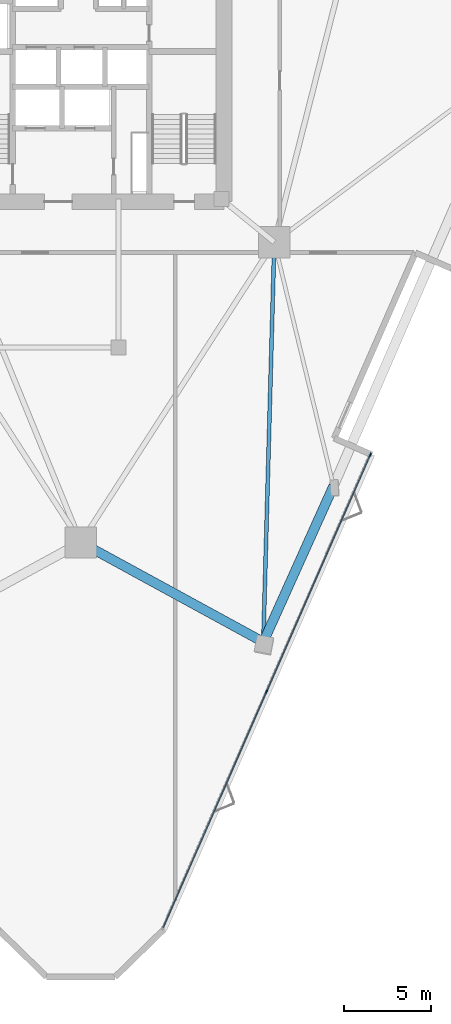
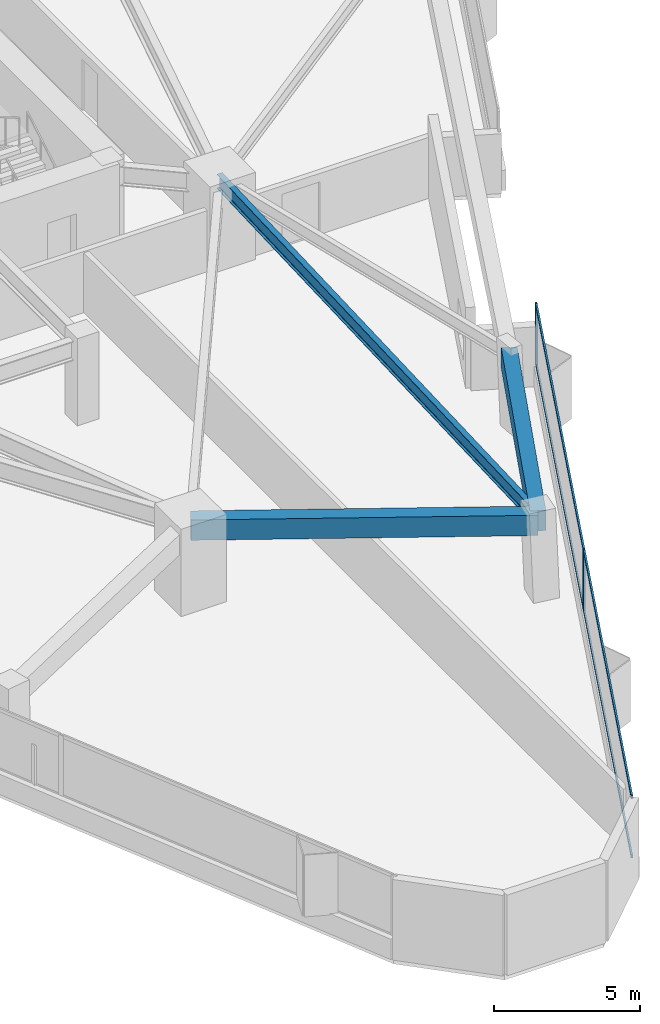
# One storey, part 3 of 14: 6 members, 3 beams, 1 element without a shape of its own.
"""IFC4 building model written with IfcOpenShell, lengths in metres."""

import ifcopenshell
import ifcopenshell.guid

model = None  # the IFC model being written
_history = None  # IfcOwnerHistory: only IFC2X3 demands one
_inside = {}  # id of a spatial element -> (the spatial element, [elements in it])
_under = {}  # id of a project, library or spatial element -> (it, [spatial elements below it])
_declared = {}  # id of a project -> (the project, [libraries it declares])
_typed = {}  # id of a type object -> (the type object, [elements of that type])
_made_of = {}  # id of a material, layer set ... -> (it, [elements and type objects made of it])


def new_model(schema):
    """Start an empty IFC model of exactly this schema.

    Asked for "IFC4X3", IfcOpenShell would pick the latest addendum, in which some entities
    have other attributes; the version numbers below select the first issue.
    IFC2X3 requires an IfcOwnerHistory on every rooted entity: one is made here for all.
    """
    global model, _history
    if schema == "IFC4X3":
        model = ifcopenshell.file(schema_version=(4, 3, 0, 0))
    else:
        model = ifcopenshell.file(schema=schema)
    _inside.clear()
    _under.clear()
    _declared.clear()
    _typed.clear()
    _made_of.clear()
    _history = None
    if model.schema == "IFC2X3":
        org = make("IfcOrganization", Name="unknown")
        user = make(
            "IfcPersonAndOrganization",
            ThePerson=make("IfcPerson", FamilyName="unknown"),
            TheOrganization=org,
        )
        app = make(
            "IfcApplication",
            ApplicationDeveloper=org,
            Version="unknown",
            ApplicationFullName="unknown",
            ApplicationIdentifier="unknown",
        )
        _history = make(
            "IfcOwnerHistory",
            OwningUser=user,
            OwningApplication=app,
            ChangeAction="ADDED",
            CreationDate=0,
        )
    return model


def make(cls, **values):
    """One entity of the class cls with the attributes given. An attribute that is None is left unset."""
    return model.create_entity(
        cls, **{name: value for name, value in values.items() if value is not None}
    )


def rooted(cls, **values):
    """An entity with a GlobalId (a new one), such as an element, a storey or a relation."""
    return make(cls, GlobalId=ifcopenshell.guid.new(), OwnerHistory=_history, **values)


def si_unit(unit_type, name, prefix=None):
    """IfcSIUnit, for example si_unit("LENGTHUNIT", "METRE", prefix="MILLI")."""
    return make("IfcSIUnit", UnitType=unit_type, Prefix=prefix, Name=name)


def assignment(units):
    """IfcUnitAssignment: the units of a project."""
    return None if units is None else make("IfcUnitAssignment", Units=units)


def point(xyz):
    """IfcCartesianPoint."""
    return None if xyz is None else make("IfcCartesianPoint", Coordinates=xyz)


def direction(xyz):
    """IfcDirection."""
    return None if xyz is None else make("IfcDirection", DirectionRatios=xyz)


def frame(location, z_axis=None, x_axis=None):
    """IfcAxis2Placement3D, a coordinate frame: its origin and axes. An axis left out is left unset."""
    return make(
        "IfcAxis2Placement3D",
        Location=point(location),
        Axis=direction(z_axis),
        RefDirection=direction(x_axis),
    )


def frame_2d(location, x_axis=None):
    """IfcAxis2Placement2D, a coordinate frame in the plane: its origin and x axis."""
    return make(
        "IfcAxis2Placement2D", Location=point(location), RefDirection=direction(x_axis)
    )


def origin():
    """The frame at (0, 0, 0) with its axes left unset."""
    return frame((0.0, 0.0, 0.0))


def origin_2d():
    """The frame at (0, 0) in the plane with its x axis left unset."""
    return frame_2d((0.0, 0.0))


def place(relative_to, where):
    """IfcLocalPlacement: puts the frame where relative to a parent placement (None: the world)."""
    return make(
        "IfcLocalPlacement", PlacementRelTo=relative_to, RelativePlacement=where
    )


def context(
    kind, dimensions, precision=None, world=None, true_north=None, identifier=None
):
    """IfcGeometricRepresentationContext, for example the 3D "Model" context."""
    return make(
        "IfcGeometricRepresentationContext",
        ContextIdentifier=identifier,
        ContextType=kind,
        CoordinateSpaceDimension=dimensions,
        Precision=precision,
        WorldCoordinateSystem=world,
        TrueNorth=true_north,
    )


def subcontext(parent, identifier, kind, view, scale=None):
    """IfcGeometricRepresentationSubContext, for example "Body" below "Model"."""
    return make(
        "IfcGeometricRepresentationSubContext",
        ContextIdentifier=identifier,
        ContextType=kind,
        ParentContext=parent,
        TargetScale=scale,
        TargetView=view,
    )


def project(units=None, contexts=None):
    """IfcProject with its units and contexts."""
    return rooted(
        "IfcProject",
        Name="project",
        RepresentationContexts=contexts,
        UnitsInContext=assignment(units),
    )


def spatial(cls, under=None, at=None, **own):
    """A site, building, storey or space (cls), placed at a placement, below another one or the project."""
    s = rooted(cls, ObjectPlacement=at, **own)
    if under is not None:
        _under.setdefault(under.id(), (under, []))[1].append(s)
    return s


def profile(cls, at=None, kind="AREA", **sizes):
    """A parametric profile (cls). Its sizes go by their IFC names, for example OverallWidth=200.0."""
    return make(cls, ProfileType=kind, Position=at, **sizes)


def rectangle(**sizes):
    """IfcRectangleProfileDef."""
    return profile("IfcRectangleProfileDef", **sizes)


def i_section(**sizes):
    """IfcIShapeProfileDef."""
    return profile("IfcIShapeProfileDef", **sizes)


def extrude(swept, where, along, depth):
    """IfcExtrudedAreaSolid: the profile swept, set in the frame where, extruded along a direction by depth."""
    return make(
        "IfcExtrudedAreaSolid",
        SweptArea=swept,
        Position=where,
        ExtrudedDirection=direction(along),
        Depth=depth,
    )


def shape(context_of_items, identifier, shape_type, items):
    """IfcShapeRepresentation: the items that make up one representation, for example the "Body"."""
    return make(
        "IfcShapeRepresentation",
        ContextOfItems=context_of_items,
        RepresentationIdentifier=identifier,
        RepresentationType=shape_type,
        Items=items,
    )


def material(Name=None, Category=None):
    """IfcMaterial."""
    return make("IfcMaterial", Name=Name, Category=Category)


def layer(
    of_material, thickness, ventilated=None, Name=None, Category=None, Priority=None
):
    """IfcMaterialLayer: one layer of a wall or slab, of a material (None: an air gap)."""
    return make(
        "IfcMaterialLayer",
        Material=of_material,
        LayerThickness=thickness,
        IsVentilated=ventilated,
        Name=Name,
        Category=Category,
        Priority=Priority,
    )


def layer_set(layers, Name=None):
    """IfcMaterialLayerSet."""
    return make("IfcMaterialLayerSet", MaterialLayers=layers, LayerSetName=Name)


def material_profile(
    of_material, cross_section, Name=None, Category=None, Priority=None
):
    """IfcMaterialProfile: a cross section and its material."""
    return make(
        "IfcMaterialProfile",
        Name=Name,
        Material=of_material,
        Profile=cross_section,
        Priority=Priority,
        Category=Category,
    )


def profile_set(profiles, Name=None, composite=None):
    """IfcMaterialProfileSet."""
    return make(
        "IfcMaterialProfileSet",
        Name=Name,
        MaterialProfiles=profiles,
        CompositeProfile=composite,
    )


def made_of(thing, what):
    """Note that an element or type object is made of a material, layer set ...; save() writes the relation."""
    if what is not None:
        _made_of.setdefault(what.id(), (what, []))[1].append(thing)
    return thing


def type_object(cls, material=None, **own):
    """A type object (cls), such as IfcWallType, which elements share."""
    return made_of(rooted(cls, **own), material)


def element(
    cls,
    number,
    at=None,
    inside=None,
    cuts=None,
    type_object=None,
    material=None,
    context=None,
    identifier="Body",
    shape_type=None,
    held_by="IfcProductDefinitionShape",
    body=None,
    shapes=None,
    **own,
):
    """One element of the class cls, such as IfcWall. Its Tag is "e" and its number.

    at: its placement. inside: the storey or other place that contains it. cuts: it is an
    opening in that element (IfcRelVoidsElement). A single representation is given by context,
    identifier, shape_type and body (its items); several are given by shapes. held_by: the class
    of the entity that holds the representations. save() writes the other relations.
    """
    e = rooted(cls, Tag="e%d" % number, ObjectPlacement=at, **own)
    if body is not None:
        shapes = [shape(context, identifier, shape_type, body)]
    if shapes is not None:
        e.Representation = make(held_by, Representations=shapes)
    if inside is not None:
        _inside.setdefault(inside.id(), (inside, []))[1].append(e)
    if cuts is not None:
        rooted(
            "IfcRelVoidsElement", RelatingBuildingElement=cuts, RelatedOpeningElement=e
        )
    if type_object is not None:
        _typed.setdefault(type_object.id(), (type_object, []))[1].append(e)
    return made_of(e, material)


def aggregate(whole, parts):
    """IfcRelAggregates: a whole, such as a stair, and the parts it consists of."""
    return rooted("IfcRelAggregates", RelatingObject=whole, RelatedObjects=parts)


def save(model, path):
    """Write the relations noted so far, then the file.

    IfcRelAggregates (storeys below a building ...), IfcRelContainedInSpatialStructure (elements
    in a storey), IfcRelDefinesByType, IfcRelAssociatesMaterial and IfcRelDeclares: one each for
    every whole, place, type object, material and project.
    """
    for whole, parts in _under.values():
        aggregate(whole, parts)
    for where, things in _inside.values():
        rooted(
            "IfcRelContainedInSpatialStructure",
            RelatedElements=things,
            RelatingStructure=where,
        )
    for kind, things in _typed.values():
        rooted("IfcRelDefinesByType", RelatedObjects=things, RelatingType=kind)
    for what, things in _made_of.values():
        rooted("IfcRelAssociatesMaterial", RelatedObjects=things, RelatingMaterial=what)
    for by, libraries in _declared.values():
        rooted("IfcRelDeclares", RelatingContext=by, RelatedDefinitions=libraries)
    model.write(path)


model = new_model("IFC4")

# Units and contexts
model_context = context("Model", 3, precision=1e-05, world=origin(), true_north=direction((0.0, 1.0)))
body_context = subcontext(model_context, "Body", "Model", "MODEL_VIEW")
ifc_project = project(units=[si_unit("LENGTHUNIT", "METRE"), si_unit("AREAUNIT", "SQUARE_METRE"), si_unit("VOLUMEUNIT", "CUBIC_METRE"), si_unit("PLANEANGLEUNIT", "RADIAN"), si_unit("MASSUNIT", "GRAM", prefix="KILO")], contexts=[model_context])

# Site, building, storey
site_placement = place(None, origin())
site = spatial("IfcSite", under=ifc_project, at=site_placement, CompositionType="ELEMENT")
building_placement = place(site_placement, origin())
building = spatial("IfcBuilding", under=site, at=building_placement, Name="Talyreon Biosciences Tower", CompositionType="ELEMENT")
storey_placement = place(building_placement, frame((0.0, 0.0, 52.0)))
storey = spatial("IfcBuildingStorey", under=building, at=storey_placement, Name="L13", CompositionType="ELEMENT", Elevation=52.0)

# Curtain wall, members
ifc_material_1 = material(Name="Thermally broken aluminium and low-E glazing", Category="aluminium")
ifc_layer = layer(ifc_material_1, 0.205078125)
ifc_layer_set = layer_set([ifc_layer], Name="Thermally broken aluminium and low-E glazing")
curtain_wall_type = type_object("IfcCurtainWallType", Name="CurtainWall_SkyGardenLoggia", PredefinedType="NOTDEFINED", material=ifc_layer_set)
curtain_wall_placement = place(storey_placement, origin())
curtain_wall = element("IfcCurtainWall", 1, at=curtain_wall_placement, inside=storey, type_object=curtain_wall_type, Name="L13 Unitised Curtain Wall FCW-L13-11", PredefinedType="NOTDEFINED")
ifc_material_2 = material(Name="Anodised thermally broken aluminium", Category="aluminium")
ifc_material_profile_1 = material_profile(ifc_material_2, rectangle(XDim=0.074951171875, YDim=0.2099609375, at=origin_2d()), Name="ALUM MULLION 75x210")
ifc_profile_set_1 = profile_set([ifc_material_profile_1], Name="Anodised thermally broken aluminium")
member_type_1 = type_object("IfcMemberType", Name="CWMullion_75x210", PredefinedType="MULLION", material=ifc_profile_set_1)
member_1_placement = place(storey_placement, frame((82.589111328125, 46.697265625, 0.81005859375), z_axis=(0.0, 0.0, 1.0), x_axis=(0.916035598289, -0.401096974143, 0.0)))
member_1 = element("IfcMember", 2, at=member_1_placement, type_object=member_type_1, Name="CW7 mullion 1", PredefinedType="MULLION", context=body_context, shape_type="SweptSolid", body=[
    extrude(rectangle(XDim=0.074951171875, YDim=0.2099609375, at=origin_2d()), origin(), (0.0, 0.0, 1.0), 2.56494140625),
])
member_2_placement = place(storey_placement, frame((76.647216796875, 33.126953125, 0.81005859375), z_axis=(0.0, 0.0, 1.0), x_axis=(0.916035598289, -0.401096974143, 0.0)))
member_2 = element("IfcMember", 3, at=member_2_placement, type_object=member_type_1, Name="CW7 mullion 2", PredefinedType="MULLION", context=body_context, shape_type="SweptSolid", body=[
    extrude(rectangle(XDim=0.074951171875, YDim=0.2099609375, at=origin_2d()), origin(), (0.0, 0.0, 1.0), 2.56494140625),
])
ifc_material_profile_2 = material_profile(ifc_material_2, rectangle(XDim=0.06494140625, YDim=0.139892578125, at=origin_2d()), Name="ALUM TRANSOM 65x140")
ifc_profile_set_2 = profile_set([ifc_material_profile_2], Name="Anodised thermally broken aluminium")
member_type_2 = type_object("IfcMemberType", Name="CWTransom_65x140", PredefinedType="USERDEFINED", material=ifc_profile_set_2)
member_3_placement = place(storey_placement, frame((82.573974609375, 46.6630859375, 0.842529296875), z_axis=(-0.401096003842, -0.916036023146, 0.0), x_axis=(0.916036023146, -0.401096003842, 0.0)))
member_3 = element("IfcMember", 4, at=member_3_placement, type_object=member_type_2, Name="CW7 transom 1.1", ObjectType="TRANSOM", PredefinedType="USERDEFINED", context=body_context, shape_type="SweptSolid", body=[
    extrude(rectangle(XDim=0.06494140625, YDim=0.139892578125, at=origin_2d()), origin(), (0.0, 0.0, 1.0), 14.7392578125),
])
member_4_placement = place(storey_placement, frame((82.573974609375, 46.6630859375, 3.342529296875), z_axis=(-0.401096003842, -0.916036023146, 0.0), x_axis=(0.916036023146, -0.401096003842, 0.0)))
member_4 = element("IfcMember", 5, at=member_4_placement, type_object=member_type_2, Name="CW7 transom 1.2", ObjectType="TRANSOM", PredefinedType="USERDEFINED", context=body_context, shape_type="SweptSolid", body=[
    extrude(rectangle(XDim=0.06494140625, YDim=0.139892578125, at=origin_2d()), origin(), (0.0, 0.0, 1.0), 14.7392578125),
])
member_5_placement = place(storey_placement, frame((76.632080078125, 33.092529296875, 0.842529296875), z_axis=(-0.401096003842, -0.916036023146, 0.0), x_axis=(0.916036023146, -0.401096003842, 0.0)))
member_5 = element("IfcMember", 6, at=member_5_placement, type_object=member_type_2, Name="CW7 transom 2.1", ObjectType="TRANSOM", PredefinedType="USERDEFINED", context=body_context, shape_type="SweptSolid", body=[
    extrude(rectangle(XDim=0.06494140625, YDim=0.139892578125, at=origin_2d()), origin(), (0.0, 0.0, 1.0), 14.7392578125),
])
member_6_placement = place(storey_placement, frame((76.632080078125, 33.092529296875, 3.342529296875), z_axis=(-0.401096003842, -0.916036023146, 0.0), x_axis=(0.916036023146, -0.401096003842, 0.0)))
member_6 = element("IfcMember", 7, at=member_6_placement, type_object=member_type_2, Name="CW7 transom 2.2", ObjectType="TRANSOM", PredefinedType="USERDEFINED", context=body_context, shape_type="SweptSolid", body=[
    extrude(rectangle(XDim=0.06494140625, YDim=0.139892578125, at=origin_2d()), origin(), (0.0, 0.0, 1.0), 14.7392578125),
])
aggregate(curtain_wall, [member_1, member_2, member_3, member_4, member_5, member_6])

# Beams
ifc_material_3 = material(Name="Precast concrete C45/55", Category="concrete")
ifc_material_profile_3 = material_profile(ifc_material_3, rectangle(XDim=0.550048828125, YDim=0.85009765625, at=origin_2d()), Name="RCB 550x850")
ifc_profile_set_3 = profile_set([ifc_material_profile_3], Name="Precast concrete C45/55")
beam_type_1 = type_object("IfcBeamType", Name="ExpressedSpandrel_550x850", PredefinedType="SPANDREL", material=ifc_profile_set_3)
beam_1_placement = place(storey_placement, frame((66.0, 41.6669921875, 2.949951171875), z_axis=(0.877727894416, -0.479159413311, 0.0), x_axis=(0.479159413311, 0.877727894416, 0.0)))
element("IfcBeam", 8, at=beam_1_placement, inside=storey, type_object=beam_type_1, Name="L13 Expressed Horizontal Concrete Spandrel 01", PredefinedType="SPANDREL", context=body_context, shape_type="SweptSolid", body=[
    extrude(rectangle(XDim=0.550048828125, YDim=0.85009765625, at=origin_2d()), origin(), (0.0, 0.0, 1.0), 11.91162109375),
])
beam_2_placement = place(storey_placement, frame((76.455078125, 35.95947265625, 2.949951171875), z_axis=(0.410324328203, 0.911939661208, 0.0), x_axis=(-0.911939661208, 0.410324328203, 0.0)))
element("IfcBeam", 9, at=beam_2_placement, inside=storey, type_object=beam_type_1, Name="L13 Expressed Horizontal Concrete Spandrel 02", PredefinedType="SPANDREL", context=body_context, shape_type="SweptSolid", body=[
    extrude(rectangle(XDim=0.550048828125, YDim=0.85009765625, at=origin_2d()), origin(), (0.0, 0.0, 1.0), 9.81201171875),
])
ifc_material_4 = material(Name="Steel SM355", Category="steel")
ifc_material_profile_4 = material_profile(ifc_material_4, i_section(OverallWidth=0.219970703125, OverallDepth=0.60009765625, WebThickness=0.011962890625, FlangeThickness=0.01904296875, FilletRadius=0.02392578125, at=origin_2d()), Name="IPE600")
ifc_profile_set_4 = profile_set([ifc_material_profile_4], Name="Steel SM355")
beam_type_2 = type_object("IfcBeamType", Name="SteelJoist_IPE600", PredefinedType="JOIST", material=ifc_profile_set_4)
beam_3_placement = place(storey_placement, frame((77.086181640625, 58.88037109375, 3.074951171875), z_axis=(-0.027523547002, -0.999621155419, 0.0), x_axis=(0.999621155419, -0.027523547002, 0.0)))
element("IfcBeam", 10, at=beam_3_placement, inside=storey, type_object=beam_type_2, Name="L13 Radial Composite Floor Joist PC-SE1", PredefinedType="JOIST", context=body_context, shape_type="SweptSolid", body=[
    extrude(i_section(OverallWidth=0.219970703125, OverallDepth=0.60009765625, WebThickness=0.011962890625, FlangeThickness=0.01904296875, FilletRadius=0.02392578125, at=origin_2d()), origin(), (0.0, 0.0, 1.0), 22.9296875),
])

save(model, "model.ifc")
